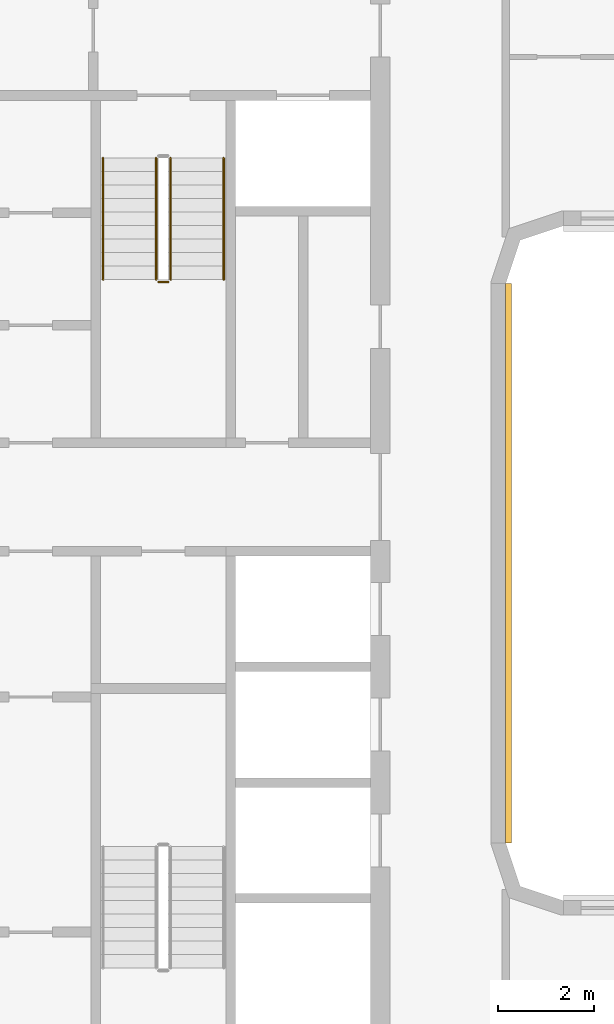
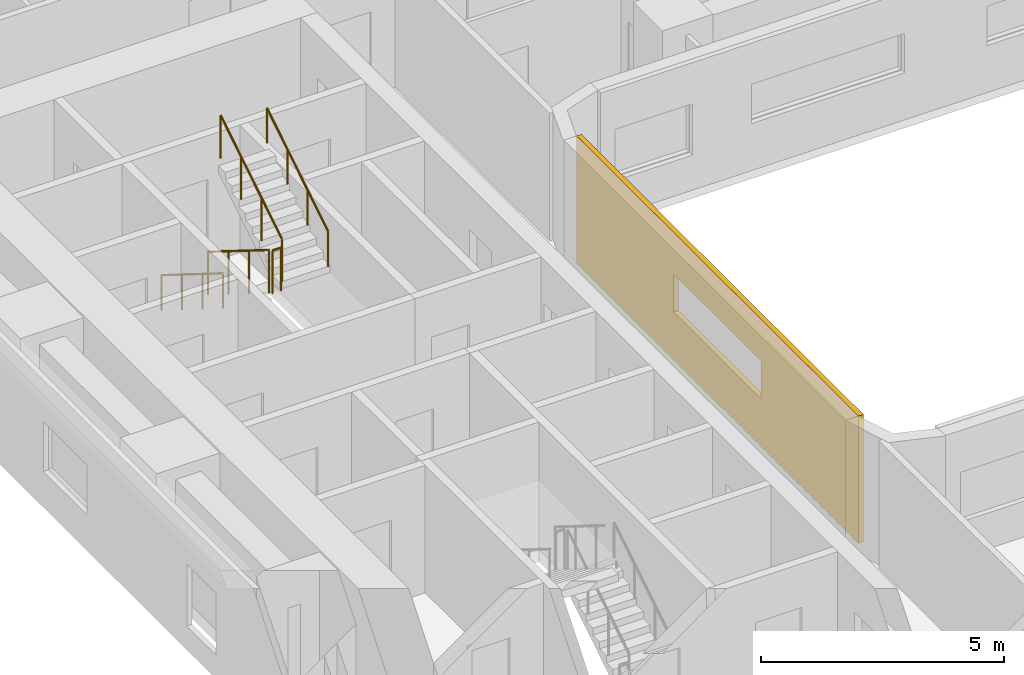
# One storey, part 15 of 22: 5 railings, 1 covering.
"""IFC4 building model written with IfcOpenShell, lengths in metres."""

from ifc_helpers import new_model, si_unit, direction, frame, origin, origin_2d, place, context, subcontext, project, spatial, polyline, circle, outline, extrude, material, layer, layer_set, type_object, element, save


model = new_model("IFC4")

# Units and contexts
model_context = context("Model", 3, precision=1e-05, world=origin(), true_north=direction((0.0, 1.0)))
body_context = subcontext(model_context, "Body", "Model", "MODEL_VIEW")
ifc_project = project(units=[si_unit("LENGTHUNIT", "METRE"), si_unit("AREAUNIT", "SQUARE_METRE"), si_unit("VOLUMEUNIT", "CUBIC_METRE"), si_unit("PLANEANGLEUNIT", "RADIAN"), si_unit("MASSUNIT", "GRAM", prefix="KILO")], contexts=[model_context])

# Site, building, storey
site_placement = place(None, origin())
site = spatial("IfcSite", under=ifc_project, at=site_placement, CompositionType="ELEMENT")
building_placement = place(site_placement, origin())
building = spatial("IfcBuilding", under=site, at=building_placement, Name="Kiln Ring Residences", CompositionType="ELEMENT")
storey_placement = place(building_placement, frame((0.0, 0.0, 44.5)))
storey = spatial("IfcBuildingStorey", under=building, at=storey_placement, Name="L10", CompositionType="ELEMENT", Elevation=44.5)

# Railings
ifc_material_1 = material(Name="Stainless steel", Category="steel")
railing_type_1 = type_object("IfcRailingType", Name="CORE-STAIR-GUARD", PredefinedType="GUARDRAIL", material=ifc_material_1)
railing_1_placement = place(storey_placement, frame((-22.25, 8.39990234375, 0.175048828125)))
element("IfcRailing", 1, at=railing_1_placement, inside=storey, type_object=railing_type_1, Name="L10 W-STN stair guard 1", PredefinedType="GUARDRAIL", context=body_context, shape_type="SweptSolid", body=[
    extrude(circle(Radius=0.02392578125, at=origin_2d()), frame((0.0, 0.0, 1.076171875), z_axis=(0.0, -0.848007534815, 0.529984170421), x_axis=(1.0, 0.0, 0.0)), (0.0, 0.0, 1.0), 2.9716796875),
    extrude(circle(Radius=0.02099609375, at=origin_2d()), origin(), (0.0, 0.0, 1.0), 1.052001953125),
    extrude(circle(Radius=0.02099609375, at=origin_2d()), frame((0.0, -0.840087890625, 0.52490234375)), (0.0, 0.0, 1.0), 1.052001953125),
    extrude(circle(Radius=0.02099609375, at=origin_2d()), frame((0.0, -1.679931640625, 1.050048828125)), (0.0, 0.0, 1.0), 1.052001953125),
    extrude(circle(Radius=0.02099609375, at=origin_2d()), frame((0.0, -2.52001953125, 1.574951171875)), (0.0, 0.0, 1.0), 1.052001953125),
])
railing_2_placement = place(storey_placement, frame((-22.199951171875, 5.830078125, 1.75)))
element("IfcRailing", 2, at=railing_2_placement, inside=storey, type_object=railing_type_1, Name="L10 W-STN stair guard 2", PredefinedType="GUARDRAIL", context=body_context, shape_type="SweptSolid", body=[
    extrude(circle(Radius=0.02392578125, at=origin_2d()), frame((0.0, 0.0, 1.076171875), z_axis=(1.0, 0.0, 0.0), x_axis=(0.0, 1.0, 0.0)), (0.0, 0.0, 1.0), 0.199951171875),
    extrude(circle(Radius=0.02099609375, at=origin_2d()), origin(), (0.0, 0.0, 1.0), 1.052001953125),
    extrude(circle(Radius=0.02099609375, at=origin_2d()), frame((0.199951171875, 0.0, 0.0)), (0.0, 0.0, 1.0), 1.052001953125),
])
railing_3_placement = place(storey_placement, frame((-21.949951171875, 5.8798828125, 1.925048828125)))
element("IfcRailing", 3, at=railing_3_placement, inside=storey, type_object=railing_type_1, Name="L10 W-STN stair guard 3", PredefinedType="GUARDRAIL", context=body_context, shape_type="SweptSolid", body=[
    extrude(circle(Radius=0.02392578125, at=origin_2d()), frame((0.0, 0.0, 1.076171875), z_axis=(0.0, 0.848007534815, 0.529984170421), x_axis=(-1.0, 0.0, 0.0)), (0.0, 0.0, 1.0), 2.9716796875),
    extrude(circle(Radius=0.02099609375, at=origin_2d()), origin(), (0.0, 0.0, 1.0), 1.052001953125),
    extrude(circle(Radius=0.02099609375, at=origin_2d()), frame((0.0, 0.840087890625, 0.52490234375)), (0.0, 0.0, 1.0), 1.052001953125),
    extrude(circle(Radius=0.02099609375, at=origin_2d()), frame((0.0, 1.679931640625, 1.050048828125)), (0.0, 0.0, 1.0), 1.052001953125),
    extrude(circle(Radius=0.02099609375, at=origin_2d()), frame((0.0, 2.52001953125, 1.574951171875)), (0.0, 0.0, 1.0), 1.052001953125),
])
ifc_material_2 = material(Name="Stainless steel", Category="steel")
railing_type_2 = type_object("IfcRailingType", Name="CORE-STAIR-HANDRAIL", PredefinedType="HANDRAIL", material=ifc_material_2)
railing_4_placement = place(storey_placement, frame((-23.35009765625, 8.39990234375, 0.175048828125)))
element("IfcRailing", 4, at=railing_4_placement, inside=storey, type_object=railing_type_2, Name="L10 W-STN stair handrail 1", PredefinedType="HANDRAIL", context=body_context, shape_type="SweptSolid", body=[
    extrude(circle(Radius=0.02392578125, at=origin_2d()), frame((0.0, 0.0, 0.8759765625), z_axis=(0.0, -0.848007534815, 0.529984170421), x_axis=(1.0, 0.0, 0.0)), (0.0, 0.0, 1.0), 2.9716796875),
    extrude(circle(Radius=0.02099609375, at=origin_2d()), origin(), (0.0, 0.0, 1.0), 0.851806640625),
    extrude(circle(Radius=0.02099609375, at=origin_2d()), frame((0.0, -0.840087890625, 0.52490234375)), (0.0, 0.0, 1.0), 0.851806640625),
    extrude(circle(Radius=0.02099609375, at=origin_2d()), frame((0.0, -1.679931640625, 1.050048828125)), (0.0, 0.0, 1.0), 0.851806640625),
    extrude(circle(Radius=0.02099609375, at=origin_2d()), frame((0.0, -2.52001953125, 1.574951171875)), (0.0, 0.0, 1.0), 0.851806640625),
])
railing_5_placement = place(storey_placement, frame((-20.85009765625, 5.8798828125, 1.925048828125)))
element("IfcRailing", 5, at=railing_5_placement, inside=storey, type_object=railing_type_2, Name="L10 W-STN stair handrail 2", PredefinedType="HANDRAIL", context=body_context, shape_type="SweptSolid", body=[
    extrude(circle(Radius=0.02392578125, at=origin_2d()), frame((0.0, 0.0, 0.8759765625), z_axis=(0.0, 0.848007534815, 0.529984170421), x_axis=(-1.0, 0.0, 0.0)), (0.0, 0.0, 1.0), 2.9716796875),
    extrude(circle(Radius=0.02099609375, at=origin_2d()), origin(), (0.0, 0.0, 1.0), 0.851806640625),
    extrude(circle(Radius=0.02099609375, at=origin_2d()), frame((0.0, 0.840087890625, 0.52490234375)), (0.0, 0.0, 1.0), 0.851806640625),
    extrude(circle(Radius=0.02099609375, at=origin_2d()), frame((0.0, 1.679931640625, 1.050048828125)), (0.0, 0.0, 1.0), 0.851806640625),
    extrude(circle(Radius=0.02099609375, at=origin_2d()), frame((0.0, 2.52001953125, 1.574951171875)), (0.0, 0.0, 1.0), 0.851806640625),
])

# Covering
ifc_material_3 = material(Name="Brick masonry, dark clay brick", Category="masonry")
ifc_layer = layer(ifc_material_3, 0.1201171875)
ifc_layer_set = layer_set([ifc_layer], Name="RAINSCREEN PANEL 120")
covering_type = type_object("IfcCoveringType", Name="RAINSCREEN PANEL 120", PredefinedType="CLADDING", material=ifc_layer_set)
covering_placement = place(storey_placement, frame((-14.93994140625, -5.800048828125, 0.0), z_axis=(0.0, 0.0, 1.0), x_axis=(0.0, 1.0, 0.0)))
element("IfcCovering", 6, at=covering_placement, inside=storey, type_object=covering_type, Name="RAINSCREEN L10", PredefinedType="CLADDING", context=body_context, shape_type="SweptSolid", body=[
    extrude(outline(polyline([(0.0, 0.0), (11.60009765625, 0.0), (11.60009765625, 3.199951171875), (0.0, 3.199951171875), (0.0, 0.0)]), holes=[polyline([(4.0, 2.14990234375), (4.0, 1.199951171875), (7.60009765625, 1.199951171875), (7.60009765625, 2.14990234375), (4.0, 2.14990234375)])]), frame((0.0, 0.06005859375, 0.0), z_axis=(0.0, -1.0, 0.0), x_axis=(1.0, 0.0, 0.0)), (0.0, 0.0, 1.0), 0.1201171875),
])

save(model, "model.ifc")
